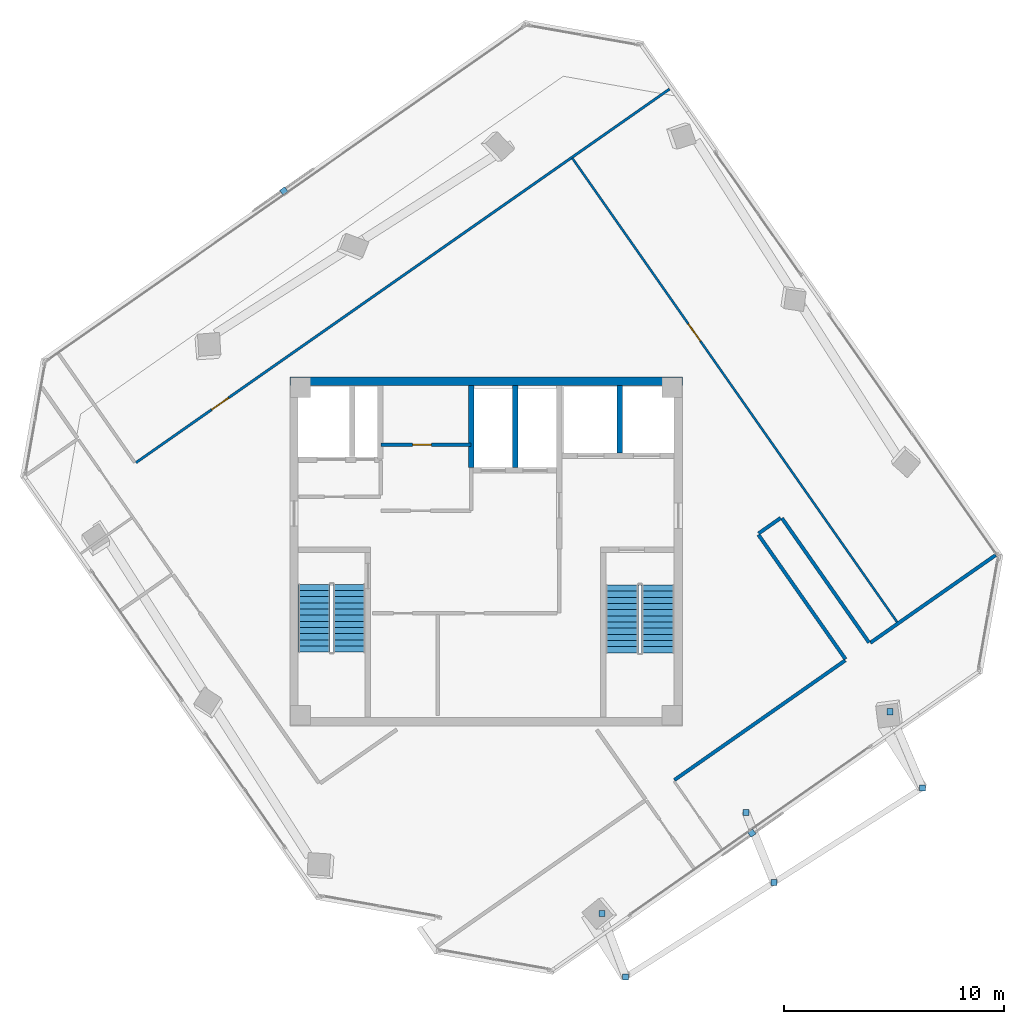
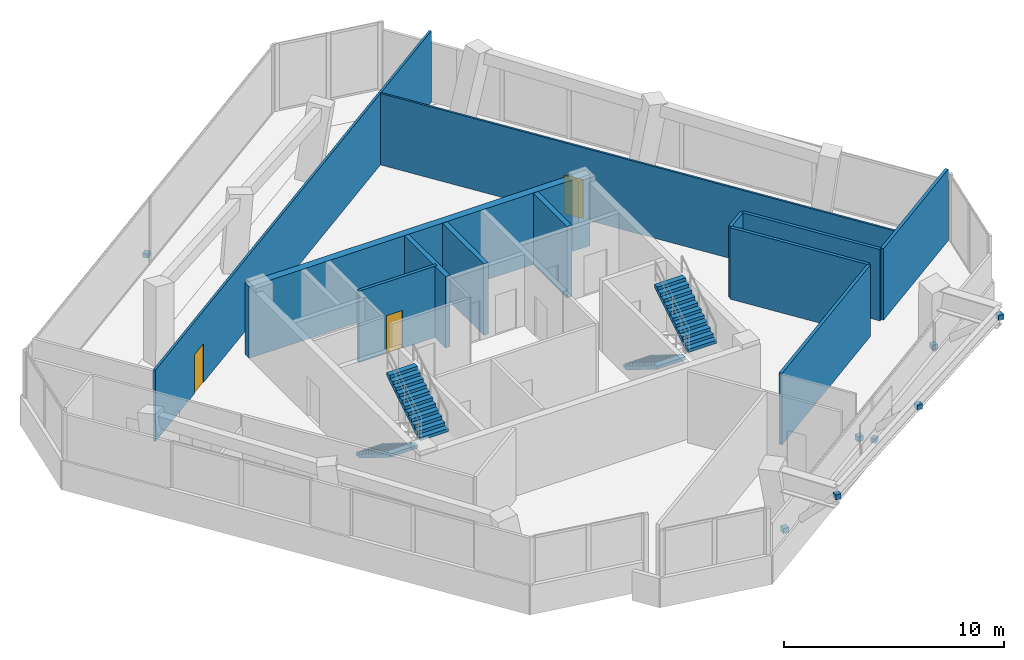
# One storey, part 12 of 15: 12 walls, 8 discrete accessories, 4 stair flights, 3 doors, 3 openings, 2 elements without a shape of their own.
"""IFC4 building model written with IfcOpenShell, lengths in metres."""

from ifc_helpers import new_model, si_unit, direction, frame, frame_2d, origin, origin_2d, place, context, subcontext, project, spatial, polyline, rectangle, outline, extrude, source, transform, mapped, material, layer, layer_set, type_object, element, fill, aggregate, save


model = new_model("IFC4")

# Units and contexts
model_context = context("Model", 3, precision=1e-05, world=origin(), true_north=direction((0.0, 1.0)))
body_context = subcontext(model_context, "Body", "Model", "MODEL_VIEW")
ifc_project = project(units=[si_unit("LENGTHUNIT", "METRE"), si_unit("AREAUNIT", "SQUARE_METRE"), si_unit("VOLUMEUNIT", "CUBIC_METRE"), si_unit("PLANEANGLEUNIT", "RADIAN"), si_unit("MASSUNIT", "GRAM", prefix="KILO")], contexts=[model_context])

# Site, building, storey
site_placement = place(None, origin())
site = spatial("IfcSite", under=ifc_project, at=site_placement, CompositionType="ELEMENT")
building_placement = place(site_placement, origin())
building = spatial("IfcBuilding", under=site, at=building_placement, Name="Torre Montelarca", CompositionType="ELEMENT")
storey_placement = place(building_placement, frame((0.0, 0.0, 303.0)))
storey = spatial("IfcBuildingStorey", under=building, at=storey_placement, Name="L68", CompositionType="ELEMENT", Elevation=303.0)

# Walls
ifc_material_1 = material(Name="Concrete C40/50", Category="concrete")
ifc_layer_1 = layer(ifc_material_1, 0.25, Name="Concrete C40/50", Category="concrete")
ifc_layer_set_1 = layer_set([ifc_layer_1], Name="Concrete C40/50")
wall_type_1 = type_object("IfcWallType", Name="CW-SHAFT-250", PredefinedType="SHEAR", material=ifc_layer_set_1)
wall_1_placement = place(storey_placement, frame((24.080078125, 36.47998046875, 0.0), z_axis=(0.0, 0.0, 1.0), x_axis=(0.0, 1.0, 0.0)))
element("IfcWall", 1, at=wall_1_placement, inside=storey, type_object=wall_type_1, Name="L68 Core Shear Wall SH-FF-M", PredefinedType="SHEAR", context=body_context, shape_type="SweptSolid", body=[
    extrude(rectangle(XDim=3.06005859375, YDim=0.25, at=frame_2d((1.530029296875, 0.0))), origin(), (0.0, 0.0, 1.0), 3.9599609375),
])
for number, where, z_axis, x_axis, name in (
    (2, (17.320068359375, 35.81005859375, 0.0), (0.0, 0.0, 1.0), (0.0, 1.0, 0.0), "L68 Core Shear Wall SH-PLH-W"),
    (3, (19.320068359375, 35.81005859375, 0.0), (0.0, 0.0, 1.0), (0.0, 1.0, 0.0), "L68 Core Shear Wall SH-PLH-M"),
):
    element("IfcWall", number, at=place(storey_placement, frame(where, z_axis=z_axis, x_axis=x_axis)), inside=storey, type_object=wall_type_1, Name=name, PredefinedType="SHEAR", context=body_context, shape_type="SweptSolid", body=[
        extrude(rectangle(XDim=3.72998046875, YDim=0.25, at=frame_2d((1.864990234375, 0.0))), origin(), (0.0, 0.0, 1.0), 3.9599609375),
    ])
ifc_layer_2 = layer(ifc_material_1, 0.3798828125, Name="Concrete C40/50", Category="concrete")
ifc_layer_set_2 = layer_set([ifc_layer_2], Name="Concrete C40/50")
wall_type_2 = type_object("IfcWallType", Name="CW-SHEAR-380", PredefinedType="SHEAR", material=ifc_layer_set_2)
wall_2_placement = place(storey_placement, frame((9.070068359375, 39.739990234375, 0.0), z_axis=(0.0, 0.0, 1.0), x_axis=(1.0, 0.0, 0.0)))
element("IfcWall", 4, at=wall_2_placement, inside=storey, type_object=wall_type_2, Name="L68 Core Shear Wall CW-N1", PredefinedType="SHEAR", context=body_context, shape_type="SweptSolid", body=[
    extrude(rectangle(XDim=17.85986328125, YDim=0.3798828125, at=frame_2d((8.929931640625, 0.0))), origin(), (0.0, 0.0, 1.0), 3.9599609375),
])

# Wall, opening, door
ifc_material_2 = material(Name="Gypsum plasterboard on steel stud", Category="steel")
ifc_layer_3 = layer(ifc_material_2, 0.159912109375, Name="Gypsum plasterboard on steel stud", Category="steel")
ifc_layer_set_3 = layer_set([ifc_layer_3], Name="Gypsum plasterboard on steel stud")
wall_type_3 = type_object("IfcWallType", Name="PW-FIRE-160", PredefinedType="PARTITIONING", material=ifc_layer_set_3)
wall_3_placement = place(storey_placement, frame((13.2099609375, 36.85009765625, 0.0), z_axis=(0.0, 0.0, 1.0), x_axis=(1.0, 0.0, 0.0)))
wall_3 = element("IfcWall", 5, at=wall_3_placement, inside=storey, type_object=wall_type_3, Name="L68 Interior Partition CW-L68-FRMD", PredefinedType="PARTITIONING", context=body_context, shape_type="SweptSolid", body=[
    extrude(rectangle(XDim=4.10009765625, YDim=0.159912109375, at=frame_2d((2.050048828125, 0.0))), origin(), (0.0, 0.0, 1.0), 3.9599609375),
])
opening_1_placement = place(wall_3_placement, frame((1.449951171875, 0.0, 0.0)))
opening_1 = element("IfcOpeningElement", 6, at=opening_1_placement, cuts=wall_3, Name="Opening FD-085", PredefinedType="OPENING", context=body_context, shape_type="SweptSolid", body=[
    extrude(rectangle(XDim=0.85009765625, YDim=2.10009765625, at=frame_2d((0.425048828125, 1.050048828125))), frame((0.0, 0.08984375, 0.0), z_axis=(0.0, -1.0, 0.0), x_axis=(1.0, 0.0, 0.0)), (0.0, 0.0, 1.0), 0.179931640625),
])
ifc_material_3 = material(Name="Steel riser access fire door", Category="steel")
door_type_1 = type_object("IfcDoorType", Name="DR-RISER-085", OperationType="NOTDEFINED", PredefinedType="DOOR", material=ifc_material_3)
shared_shape_1 = source(origin(), body_context, "Body", "SweptSolid", [
    extrude(rectangle(XDim=0.85009765625, YDim=2.10009765625, at=frame_2d((0.425048828125, 1.050048828125))), frame((0.0, 0.02490234375, 0.0), z_axis=(0.0, -1.0, 0.0), x_axis=(1.0, 0.0, 0.0)), (0.0, 0.0, 1.0), 0.050048828125),
])
door_1_placement = place(opening_1_placement, origin())
door_1 = element("IfcDoor", 7, at=door_1_placement, inside=storey, type_object=door_type_1, Name="L68 Interior Door 03", OperationType="SINGLE_SWING_RIGHT", OverallHeight=2.10009765625, OverallWidth=0.85009765625, PredefinedType="DOOR", context=body_context, shape_type="MappedRepresentation", body=[
    mapped(shared_shape_1, transform((0.0, 0.0, 0.0), scale=1.0)),
])
fill(opening_1, door_1)

# Walls
wall_4_placement = place(storey_placement, frame((26.559326171875, 21.601318359375, 0.0), z_axis=(0.0, 0.0, 1.0), x_axis=(0.819143682501, 0.573588378036, 0.0)))
element("IfcWall", 8, at=wall_4_placement, inside=storey, type_object=wall_type_3, Name="L68 Interior Partition W-L68-ECN", PredefinedType="PARTITIONING", context=body_context, shape_type="SweptSolid", body=[
    extrude(rectangle(XDim=9.489990234375, YDim=0.159912109375, at=frame_2d((4.7451171875, 0.0))), origin(), (0.0, 0.0, 1.0), 3.9599609375),
])
wall_5_placement = place(storey_placement, frame((30.37939453125, 32.760498046875, 0.0), z_axis=(0.0, 0.0, 1.0), x_axis=(0.573609352737, -0.819128995002, 0.0)))
element("IfcWall", 9, at=wall_5_placement, inside=storey, type_object=wall_type_3, Name="L68 Interior Partition W-L68-ECNS1", PredefinedType="PARTITIONING", context=body_context, shape_type="SweptSolid", body=[
    extrude(rectangle(XDim=6.909912109375, YDim=0.159912109375, at=frame_2d((3.455078125, 0.0))), origin(), (0.0, 0.0, 1.0), 3.9599609375),
])
wall_6_placement = place(storey_placement, frame((30.389404296875, 32.81640625, 0.0), z_axis=(0.0, 0.0, 1.0), x_axis=(0.819129336916, 0.573608864475, 0.0)))
element("IfcWall", 10, at=wall_6_placement, inside=storey, type_object=wall_type_3, Name="L68 Interior Partition W-L68-ECNW1", PredefinedType="PARTITIONING", context=body_context, shape_type="SweptSolid", body=[
    extrude(rectangle(XDim=1.22998046875, YDim=0.159912109375, at=frame_2d((0.614990234375, 0.0))), origin(), (0.0, 0.0, 1.0), 3.9599609375),
])
wall_7_placement = place(storey_placement, frame((31.45263671875, 33.511962890625, 0.0), z_axis=(0.0, 0.0, 1.0), x_axis=(0.573585645457, -0.819145595927, 0.0)))
element("IfcWall", 11, at=wall_7_placement, inside=storey, type_object=wall_type_3, Name="L68 Interior Partition W-L68-ECNN1", PredefinedType="PARTITIONING", context=body_context, shape_type="SweptSolid", body=[
    extrude(rectangle(XDim=6.909912109375, YDim=0.159912109375, at=frame_2d((3.455078125, 0.0))), origin(), (0.0, 0.0, 1.0), 3.9599609375),
])
wall_8_placement = place(storey_placement, frame((35.4716796875, 27.841796875, 0.0), z_axis=(0.0, 0.0, 1.0), x_axis=(0.819151164872, 0.573577692287, 0.0)))
element("IfcWall", 12, at=wall_8_placement, inside=storey, type_object=wall_type_3, Name="L68 Interior Partition W-L68-ECN2", PredefinedType="PARTITIONING", context=body_context, shape_type="SweptSolid", body=[
    extrude(rectangle(XDim=6.960205078125, YDim=0.159912109375, at=frame_2d((3.47998046875, 0.0))), origin(), (0.0, 0.0, 1.0), 3.9599609375),
])

# Wall, opening, door
ifc_material_4 = material(Name="Acoustic laminated glass partition", Category="glass")
ifc_layer_4 = layer(ifc_material_4, 0.10009765625, Name="Acoustic laminated glass partition", Category="glass")
ifc_layer_set_4 = layer_set([ifc_layer_4], Name="Acoustic laminated glass partition")
wall_type_4 = type_object("IfcWallType", Name="PW-GLAZ-100", PredefinedType="PARTITIONING", material=ifc_layer_set_4)
wall_9_placement = place(storey_placement, frame((21.917724609375, 49.8837890625, 0.0), z_axis=(0.0, 0.0, 1.0), x_axis=(0.57358495776, -0.819146077468, 0.0)))
wall_9 = element("IfcWall", 13, at=wall_9_placement, inside=storey, type_object=wall_type_4, Name="L68 Interior Partition W-L68-NBOT", PredefinedType="PARTITIONING", context=body_context, shape_type="SweptSolid", body=[
    extrude(rectangle(XDim=25.7900390625, YDim=0.10009765625, at=frame_2d((12.89501953125, 0.0))), origin(), (0.0, 0.0, 1.0), 3.9599609375),
])
opening_2_placement = place(wall_9_placement, frame((9.199951171875, 0.0, 0.0)))
opening_2 = element("IfcOpeningElement", 14, at=opening_2_placement, cuts=wall_9, Name="Opening ID-095", PredefinedType="OPENING", context=body_context, shape_type="SweptSolid", body=[
    extrude(rectangle(XDim=0.949951171875, YDim=2.14990234375, at=frame_2d((0.47509765625, 1.074951171875))), frame((0.0, 0.06005859375, 0.0), z_axis=(0.0, -1.0, 0.0), x_axis=(1.0, 0.0, 0.0)), (0.0, 0.0, 1.0), 0.1201171875),
])
ifc_material_5 = material(Name="Hardwood acoustic timber veneer", Category="wood")
door_type_2 = type_object("IfcDoorType", Name="DR-INT-095", OperationType="NOTDEFINED", PredefinedType="DOOR", material=ifc_material_5)
shared_shape_2 = source(origin(), body_context, "Body", "SweptSolid", [
    extrude(rectangle(XDim=0.949951171875, YDim=2.14990234375, at=frame_2d((0.47509765625, 1.074951171875))), frame((0.0, 0.02490234375, 0.0), z_axis=(0.0, -1.0, 0.0), x_axis=(1.0, 0.0, 0.0)), (0.0, 0.0, 1.0), 0.050048828125),
])
door_2_placement = place(opening_2_placement, origin())
door_2 = element("IfcDoor", 15, at=door_2_placement, inside=storey, type_object=door_type_2, Name="L68 Interior Door 09", OperationType="SINGLE_SWING_LEFT", OverallHeight=2.14990234375, OverallWidth=0.949951171875, PredefinedType="DOOR", context=body_context, shape_type="MappedRepresentation", body=[
    mapped(shared_shape_2, transform((0.0, 0.0, 0.0), scale=1.0)),
])
fill(opening_2, door_2)

ifc_layer_5 = layer(ifc_material_2, 0.114990234375, Name="Gypsum plasterboard on steel stud", Category="steel")
ifc_layer_set_5 = layer_set([ifc_layer_5], Name="Gypsum plasterboard on steel stud")
wall_type_5 = type_object("IfcWallType", Name="PW-PART-115", PredefinedType="PARTITIONING", material=ifc_layer_set_5)
wall_10_placement = place(storey_placement, frame((2.0712890625, 36.0361328125, 0.0), z_axis=(0.0, 0.0, 1.0), x_axis=(0.819154854942, 0.573572422302, 0.0)))
wall_10 = element("IfcWall", 16, at=wall_10_placement, inside=storey, type_object=wall_type_5, Name="L68 Interior Partition W-L68-WWGE", PredefinedType="PARTITIONING", context=body_context, shape_type="SweptSolid", body=[
    extrude(rectangle(XDim=29.6201171875, YDim=0.114990234375, at=frame_2d((14.81005859375, 0.0))), origin(), (0.0, 0.0, 1.0), 3.9599609375),
])
opening_3_placement = place(wall_10_placement, frame((4.199951171875, 0.0, 0.0)))
opening_3 = element("IfcOpeningElement", 17, at=opening_3_placement, cuts=wall_10, Name="Opening ID-095", PredefinedType="OPENING", context=body_context, shape_type="SweptSolid", body=[
    extrude(rectangle(XDim=0.949951171875, YDim=2.14990234375, at=frame_2d((0.47509765625, 1.074951171875))), frame((0.0, 0.0673828125, 0.0), z_axis=(0.0, -1.0, 0.0), x_axis=(1.0, 0.0, 0.0)), (0.0, 0.0, 1.0), 0.135009765625),
])
door_3_placement = place(opening_3_placement, origin())
door_3 = element("IfcDoor", 18, at=door_3_placement, inside=storey, type_object=door_type_2, Name="L68 Interior Door 10", OperationType="SINGLE_SWING_LEFT", OverallHeight=2.14990234375, OverallWidth=0.949951171875, PredefinedType="DOOR", context=body_context, shape_type="MappedRepresentation", body=[
    mapped(shared_shape_2, transform((0.0, 0.0, 0.0), scale=1.0)),
])
fill(opening_3, door_3)

# Stair, stair flights
stair_type_1 = type_object("IfcStairType", Name="ST-CORE-ST1", PredefinedType="HALF_TURN_STAIR", material=ifc_material_1)
stair_1_placement = place(storey_placement, origin())
stair_1 = element("IfcStair", 19, at=stair_1_placement, inside=storey, type_object=stair_type_1, Name="L68 Protected Exit Stair ST1", PredefinedType="HALF_TURN_STAIR")
stair_flight_type_1 = type_object("IfcStairFlightType", Name="SFL-CORE-ST1", PredefinedType="STRAIGHT", material=ifc_material_1)
stair_flight_1_placement = place(storey_placement, frame((10.175048828125, 30.5, 0.0), z_axis=(0.0, 0.0, 1.0), x_axis=(0.0, -1.0, 0.0)))
stair_flight_1 = element("IfcStairFlight", 20, at=stair_flight_1_placement, type_object=stair_flight_type_1, Name="ST1 flight 1", NumberOfRisers=12, NumberOfTreads=11, PredefinedType="STRAIGHT", RiserHeight=0.175, TreadLength=0.28, context=body_context, shape_type="SweptSolid", body=[
    extrude(outline(polyline([(0.0, 0.0), (0.0, 0.175048828125), (0.280029296875, 0.175048828125), (0.280029296875, 0.35009765625), (0.56005859375, 0.35009765625), (0.56005859375, 0.52490234375), (0.840087890625, 0.52490234375), (0.840087890625, 0.699951171875), (1.1201171875, 0.699951171875), (1.1201171875, 0.875), (1.39990234375, 0.875), (1.39990234375, 1.050048828125), (1.679931640625, 1.050048828125), (1.679931640625, 1.22509765625), (1.9599609375, 1.22509765625), (1.9599609375, 1.39990234375), (2.239990234375, 1.39990234375), (2.239990234375, 1.574951171875), (2.52001953125, 1.574951171875), (2.52001953125, 1.75), (2.800048828125, 1.75), (2.800048828125, 1.925048828125), (3.080078125, 1.925048828125), (3.080078125, 2.10009765625), (3.080078125, 1.748291015625), (0.28271484375, 0.0), (0.0, 0.0)])), frame((0.0, 0.72509765625, 0.0), z_axis=(0.0, -1.0, 0.0), x_axis=(1.0, 0.0, 0.0)), (0.0, 0.0, 1.0), 1.449951171875),
])
stair_flight_2_placement = place(storey_placement, frame((11.77490234375, 27.419921875, 2.10009765625), z_axis=(0.0, 0.0, 1.0), x_axis=(0.0, 1.0, 0.0)))
stair_flight_2 = element("IfcStairFlight", 21, at=stair_flight_2_placement, type_object=stair_flight_type_1, Name="ST1 flight 2", NumberOfRisers=12, NumberOfTreads=11, PredefinedType="STRAIGHT", RiserHeight=0.175, TreadLength=0.28, context=body_context, shape_type="SweptSolid", body=[
    extrude(outline(polyline([(0.0, 0.0), (0.0, 0.175048828125), (0.280029296875, 0.175048828125), (0.280029296875, 0.35009765625), (0.56005859375, 0.35009765625), (0.56005859375, 0.52490234375), (0.840087890625, 0.52490234375), (0.840087890625, 0.699951171875), (1.1201171875, 0.699951171875), (1.1201171875, 0.875), (1.39990234375, 0.875), (1.39990234375, 1.050048828125), (1.679931640625, 1.050048828125), (1.679931640625, 1.22509765625), (1.9599609375, 1.22509765625), (1.9599609375, 1.39990234375), (2.239990234375, 1.39990234375), (2.239990234375, 1.574951171875), (2.52001953125, 1.574951171875), (2.52001953125, 1.75), (2.800048828125, 1.75), (2.800048828125, 1.925048828125), (3.080078125, 1.925048828125), (3.080078125, 2.10009765625), (3.080078125, 1.748291015625), (0.28271484375, 0.0), (0.0, 0.0)])), frame((0.0, 0.72509765625, 0.0), z_axis=(0.0, -1.0, 0.0), x_axis=(1.0, 0.0, 0.0)), (0.0, 0.0, 1.0), 1.449951171875),
])
aggregate(stair_1, [stair_flight_1, stair_flight_2])

stair_type_2 = type_object("IfcStairType", Name="ST-CORE-ST2", PredefinedType="HALF_TURN_STAIR", material=ifc_material_1)
stair_2_placement = place(storey_placement, origin())
stair_2 = element("IfcStair", 22, at=stair_2_placement, inside=storey, type_object=stair_type_2, Name="L68 Protected Exit Stair ST2", PredefinedType="HALF_TURN_STAIR")
stair_flight_type_2 = type_object("IfcStairFlightType", Name="SFL-CORE-ST2", PredefinedType="STRAIGHT", material=ifc_material_1)
stair_flight_3_placement = place(storey_placement, frame((24.179931640625, 30.469970703125, 0.0), z_axis=(0.0, 0.0, 1.0), x_axis=(0.0, -1.0, 0.0)))
stair_flight_3 = element("IfcStairFlight", 23, at=stair_flight_3_placement, type_object=stair_flight_type_2, Name="ST2 flight 1", NumberOfRisers=12, NumberOfTreads=11, PredefinedType="STRAIGHT", RiserHeight=0.175, TreadLength=0.28, context=body_context, shape_type="SweptSolid", body=[
    extrude(outline(polyline([(0.0, 0.0), (0.0, 0.175048828125), (0.280029296875, 0.175048828125), (0.280029296875, 0.35009765625), (0.56005859375, 0.35009765625), (0.56005859375, 0.52490234375), (0.840087890625, 0.52490234375), (0.840087890625, 0.699951171875), (1.1201171875, 0.699951171875), (1.1201171875, 0.875), (1.39990234375, 0.875), (1.39990234375, 1.050048828125), (1.679931640625, 1.050048828125), (1.679931640625, 1.22509765625), (1.9599609375, 1.22509765625), (1.9599609375, 1.39990234375), (2.239990234375, 1.39990234375), (2.239990234375, 1.574951171875), (2.52001953125, 1.574951171875), (2.52001953125, 1.75), (2.800048828125, 1.75), (2.800048828125, 1.925048828125), (3.080078125, 1.925048828125), (3.080078125, 2.10009765625), (3.080078125, 1.748291015625), (0.28271484375, 0.0), (0.0, 0.0)])), frame((0.0, 0.739990234375, 0.0), z_axis=(0.0, -1.0, 0.0), x_axis=(1.0, 0.0, 0.0)), (0.0, 0.0, 1.0), 1.47998046875),
])
stair_flight_4_placement = place(storey_placement, frame((25.81005859375, 27.389892578125, 2.10009765625), z_axis=(0.0, 0.0, 1.0), x_axis=(0.0, 1.0, 0.0)))
stair_flight_4 = element("IfcStairFlight", 24, at=stair_flight_4_placement, type_object=stair_flight_type_2, Name="ST2 flight 2", NumberOfRisers=12, NumberOfTreads=11, PredefinedType="STRAIGHT", RiserHeight=0.175, TreadLength=0.28, context=body_context, shape_type="SweptSolid", body=[
    extrude(outline(polyline([(0.0, 0.0), (0.0, 0.175048828125), (0.280029296875, 0.175048828125), (0.280029296875, 0.35009765625), (0.56005859375, 0.35009765625), (0.56005859375, 0.52490234375), (0.840087890625, 0.52490234375), (0.840087890625, 0.699951171875), (1.1201171875, 0.699951171875), (1.1201171875, 0.875), (1.39990234375, 0.875), (1.39990234375, 1.050048828125), (1.679931640625, 1.050048828125), (1.679931640625, 1.22509765625), (1.9599609375, 1.22509765625), (1.9599609375, 1.39990234375), (2.239990234375, 1.39990234375), (2.239990234375, 1.574951171875), (2.52001953125, 1.574951171875), (2.52001953125, 1.75), (2.800048828125, 1.75), (2.800048828125, 1.925048828125), (3.080078125, 1.925048828125), (3.080078125, 2.10009765625), (3.080078125, 1.748291015625), (0.28271484375, 0.0), (0.0, 0.0)])), frame((0.0, 0.739990234375, 0.0), z_axis=(0.0, -1.0, 0.0), x_axis=(1.0, 0.0, 0.0)), (0.0, 0.0, 1.0), 1.47998046875),
])
aggregate(stair_2, [stair_flight_3, stair_flight_4])

# Discrete accessories
ifc_material_6 = material(Name="Stainless steel AISI 316", Category="steel")
discrete_accessory_type = type_object("IfcDiscreteAccessoryType", Name="ACC-BRACKET-SS", PredefinedType="BRACKET", material=ifc_material_6)
shared_shape_3 = source(origin(), body_context, "Body", "SweptSolid", [
    extrude(rectangle(XDim=0.280029296875, YDim=0.280029296875, at=origin_2d()), origin(), (0.0, 0.0, 1.0), 0.280029296875),
])
for number, where, z_axis, x_axis, name in (
    (25, (23.263671875, 15.53369140625, 0.009765625), (0.0, 0.0, 1.0), (1.0, 0.0, 0.0), "L69 Raker End Connection Bracket E1-FT"),
    (26, (24.34375, 12.647216796875, 3.2451171875), (0.0, 0.0, 1.0), (1.0, 0.0, 0.0), "L69 Raker End Connection Bracket E1-HD"),
    (27, (29.81689453125, 20.122314453125, 0.009765625), (0.0, 0.0, 1.0), (1.0, 0.0, 0.0), "L69 Raker End Connection Bracket E2-FT"),
    (28, (31.0908203125, 16.945556640625, 3.2451171875), (0.0, 0.0, 1.0), (1.0, 0.0, 0.0), "L69 Raker End Connection Bracket E2-HD"),
    (29, (36.3701171875, 24.7109375, 0.009765625), (0.0, 0.0, 1.0), (1.0, 0.0, 0.0), "L69 Raker End Connection Bracket E3-FT"),
    (30, (37.837890625, 21.243896484375, 3.2451171875), (0.0, 0.0, 1.0), (1.0, 0.0, 0.0), "L69 Raker End Connection Bracket E3-HD"),
):
    element("IfcDiscreteAccessory", number, at=place(storey_placement, frame(where, z_axis=z_axis, x_axis=x_axis)), inside=storey, type_object=discrete_accessory_type, Name=name, PredefinedType="BRACKET", context=body_context, shape_type="MappedRepresentation", body=[
        mapped(shared_shape_3, transform((0.0, 0.0, 0.0), scale=1.0)),
    ])
shared_shape_4 = source(origin(), body_context, "Body", "SweptSolid", [
    extrude(rectangle(XDim=0.280029296875, YDim=0.260009765625, at=origin_2d()), origin(), (0.0, 0.0, 1.0), 0.239990234375),
])
for number, where, z_axis, x_axis, name in (
    (31, (30.08251953125, 19.18505859375, 0.39990234375), (0.0, 0.0, 1.0), (0.819154046443, 0.573573576968, 0.0), "L68 Solar Screen Support Bracket E6-1"),
    (32, (8.79638671875, 48.3994140625, 0.39990234375), (0.0, 0.0, 1.0), (-0.819151043208, -0.57357786604, 0.0), "L68 Solar Screen Support Bracket E10-1"),
):
    element("IfcDiscreteAccessory", number, at=place(storey_placement, frame(where, z_axis=z_axis, x_axis=x_axis)), inside=storey, type_object=discrete_accessory_type, Name=name, PredefinedType="BRACKET", context=body_context, shape_type="MappedRepresentation", body=[
        mapped(shared_shape_4, transform((0.0, 0.0, 0.0), scale=1.0)),
    ])

save(model, "model.ifc")
